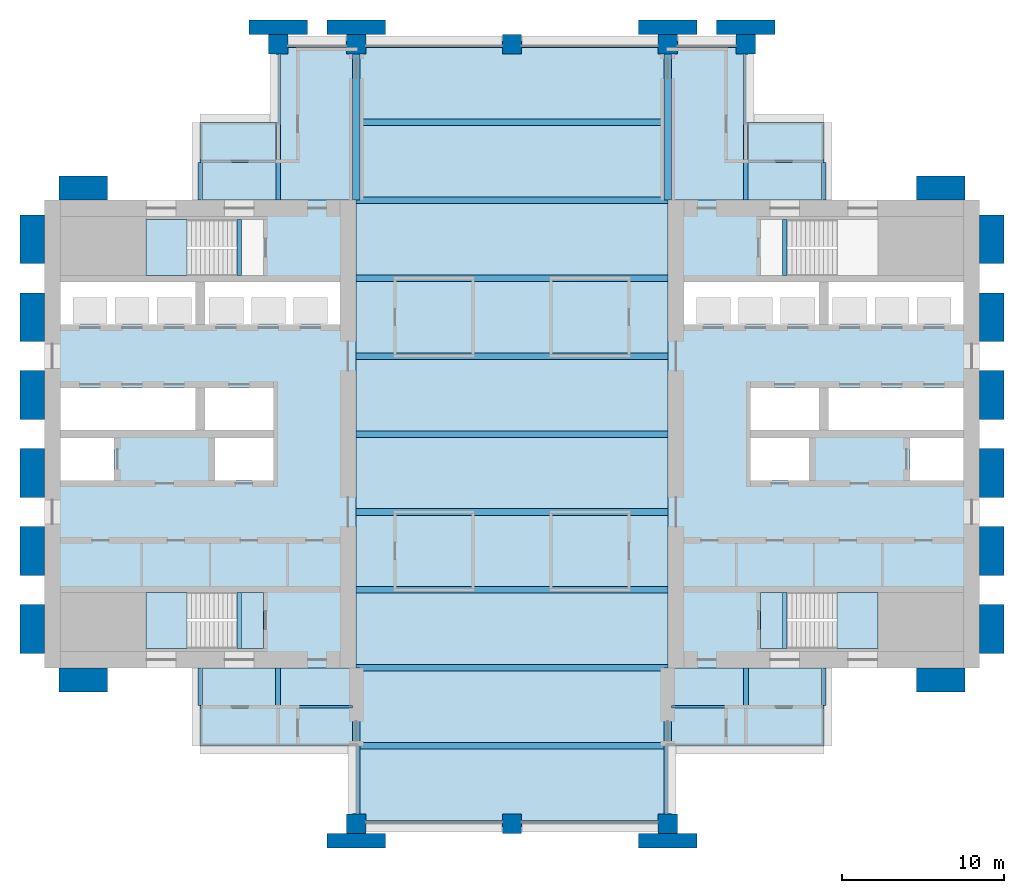
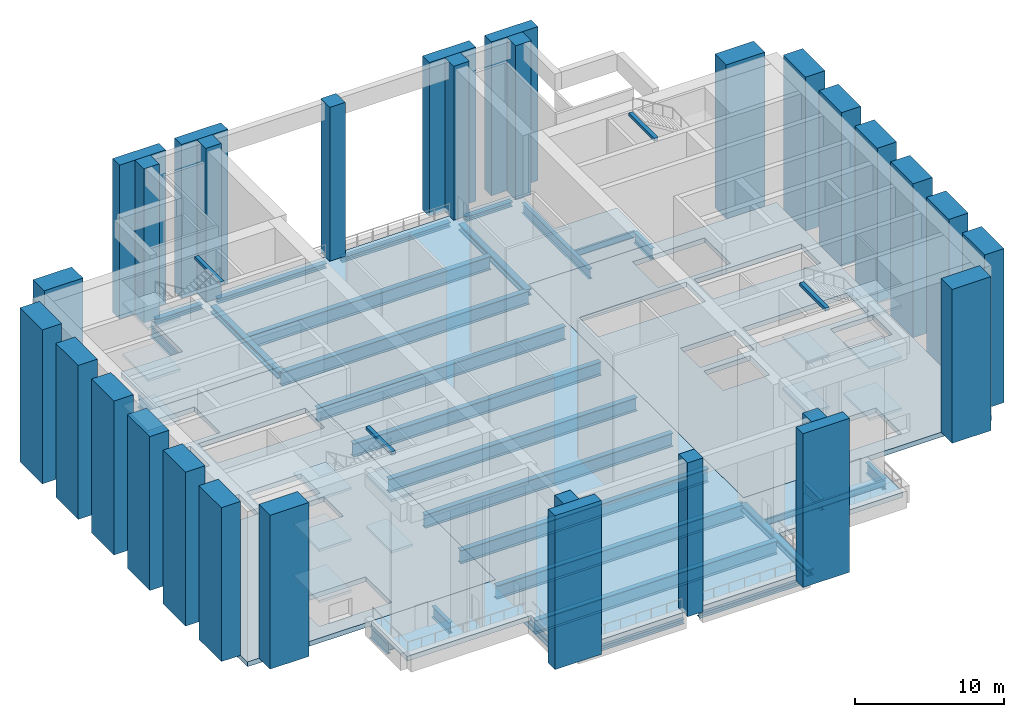
# One storey, part 1 of 9: 35 beams, 30 columns, 16 slabs, 3 elements without a shape of their own.
"""IFC4 building model written with IfcOpenShell, lengths in metres."""

from ifc_helpers import new_model, si_unit, direction, frame, origin, origin_2d, place, context, subcontext, project, spatial, polyline, rectangle, i_section, outline, extrude, material, layer, layer_set, material_profile, profile_set, type_object, element, aggregate, save


model = new_model("IFC4")

# Units and contexts
model_context = context("Model", 3, precision=1e-05, world=origin(), true_north=direction((0.0, 1.0)))
body_context = subcontext(model_context, "Body", "Model", "MODEL_VIEW")
ifc_project = project(units=[si_unit("LENGTHUNIT", "METRE"), si_unit("AREAUNIT", "SQUARE_METRE"), si_unit("VOLUMEUNIT", "CUBIC_METRE"), si_unit("PLANEANGLEUNIT", "RADIAN"), si_unit("MASSUNIT", "GRAM", prefix="KILO")], contexts=[model_context])

# Site, building, storey
site_placement = place(None, origin())
site = spatial("IfcSite", under=ifc_project, at=site_placement, CompositionType="ELEMENT")
building_placement = place(site_placement, origin())
building = spatial("IfcBuilding", under=site, at=building_placement, Name="Baori Bourse Tower", CompositionType="ELEMENT")
storey_placement = place(building_placement, frame((0.0, 0.0, 180.60009765625)))
storey = spatial("IfcBuildingStorey", under=building, at=storey_placement, Name="L40", CompositionType="ELEMENT", Elevation=180.60009765625)

# Columns
ifc_material_1 = material(Name="Concrete f'c 60 MPa", Category="concrete")
ifc_material_profile_1 = material_profile(ifc_material_1, rectangle(XDim=3.60009765625, YDim=0.89990234375, at=origin_2d()), Name="RC 3600x900")
ifc_profile_set_1 = profile_set([ifc_material_profile_1], Name="Concrete f'c 60 MPa")
column_type_1 = type_object("IfcColumnType", Name="FN3 Brick pilaster 3600x900", PredefinedType="PILASTER", material=ifc_profile_set_1)
for number, where, z_axis, x_axis, name in (
    (1, (19.199951171875, -1.050048828125, 0.0), (0.0, 0.0, 1.0), (1.0, 0.0, 0.0), "Brick pilaster L40 17"),
    (2, (38.39990234375, -1.050048828125, 0.0), (0.0, 0.0, 1.0), (1.0, 0.0, 0.0), "Brick pilaster L40 18"),
    (3, (14.39990234375, 49.050048828125, 0.0), (0.0, 0.0, 1.0), (1.0, 0.0, 0.0), "Brick pilaster L40 19"),
    (4, (19.199951171875, 49.050048828125, 0.0), (0.0, 0.0, 1.0), (1.0, 0.0, 0.0), "Brick pilaster L40 20"),
    (5, (38.39990234375, 49.050048828125, 0.0), (0.0, 0.0, 1.0), (1.0, 0.0, 0.0), "Brick pilaster L40 21"),
    (6, (43.199951171875, 49.050048828125, 0.0), (0.0, 0.0, 1.0), (1.0, 0.0, 0.0), "Brick pilaster L40 22"),
):
    element("IfcColumn", number, at=place(storey_placement, frame(where, z_axis=z_axis, x_axis=x_axis)), inside=storey, type_object=column_type_1, Name=name, PredefinedType="PILASTER", context=body_context, shape_type="SweptSolid", body=[
        extrude(rectangle(XDim=3.60009765625, YDim=0.89990234375, at=origin_2d()), origin(), (0.0, 0.0, 1.0), 12.599853515625),
    ])
ifc_material_2 = material(Name="Concrete f'c 60 MPa", Category="concrete")
ifc_material_profile_2 = material_profile(ifc_material_2, rectangle(XDim=3.0, YDim=1.5, at=origin_2d()), Name="RC 3000x1500")
ifc_profile_set_2 = profile_set([ifc_material_profile_2], Name="Concrete f'c 60 MPa")
column_type_2 = type_object("IfcColumnType", Name="FN4 Brick flank pilaster 3000x1500", PredefinedType="PILASTER", material=ifc_profile_set_2)
for number, where, z_axis, x_axis, name in (
    (7, (55.199951171875, 8.85009765625, 0.0), (0.0, 0.0, 1.0), (1.0, 0.0, 0.0), "Brick pilaster L40 1"),
    (8, (58.35009765625, 12.0, 0.0), (0.0, 0.0, 1.0), (0.0, 1.0, 0.0), "Brick pilaster L40 2"),
    (9, (58.35009765625, 16.800048828125, 0.0), (0.0, 0.0, 1.0), (0.0, 1.0, 0.0), "Brick pilaster L40 3"),
    (10, (58.35009765625, 21.60009765625, 0.0), (0.0, 0.0, 1.0), (0.0, 1.0, 0.0), "Brick pilaster L40 4"),
    (11, (58.35009765625, 26.39990234375, 0.0), (0.0, 0.0, 1.0), (0.0, 1.0, 0.0), "Brick pilaster L40 5"),
    (12, (58.35009765625, 31.199951171875, 0.0), (0.0, 0.0, 1.0), (0.0, 1.0, 0.0), "Brick pilaster L40 6"),
    (13, (58.35009765625, 36.0, 0.0), (0.0, 0.0, 1.0), (0.0, 1.0, 0.0), "Brick pilaster L40 7"),
    (14, (55.199951171875, 39.14990234375, 0.0), (0.0, 0.0, 1.0), (1.0, 0.0, 0.0), "Brick pilaster L40 8"),
    (15, (2.39990234375, 39.14990234375, 0.0), (0.0, 0.0, 1.0), (1.0, 0.0, 0.0), "Brick pilaster L40 9"),
    (16, (-0.75, 12.0, 0.0), (0.0, 0.0, 1.0), (0.0, 1.0, 0.0), "Brick pilaster L40 10"),
    (17, (-0.75, 16.800048828125, 0.0), (0.0, 0.0, 1.0), (0.0, 1.0, 0.0), "Brick pilaster L40 11"),
    (18, (-0.75, 21.60009765625, 0.0), (0.0, 0.0, 1.0), (0.0, 1.0, 0.0), "Brick pilaster L40 12"),
    (19, (-0.75, 26.39990234375, 0.0), (0.0, 0.0, 1.0), (0.0, 1.0, 0.0), "Brick pilaster L40 13"),
    (20, (-0.75, 31.199951171875, 0.0), (0.0, 0.0, 1.0), (0.0, 1.0, 0.0), "Brick pilaster L40 14"),
    (21, (-0.75, 36.0, 0.0), (0.0, 0.0, 1.0), (0.0, 1.0, 0.0), "Brick pilaster L40 15"),
    (22, (2.39990234375, 8.85009765625, 0.0), (0.0, 0.0, 1.0), (1.0, 0.0, 0.0), "Brick pilaster L40 16"),
):
    element("IfcColumn", number, at=place(storey_placement, frame(where, z_axis=z_axis, x_axis=x_axis)), inside=storey, type_object=column_type_2, Name=name, PredefinedType="PILASTER", context=body_context, shape_type="SweptSolid", body=[
        extrude(rectangle(XDim=3.0, YDim=1.5, at=origin_2d()), origin(), (0.0, 0.0, 1.0), 12.599853515625),
    ])
ifc_material_3 = material(Name="Concrete f'c 60 MPa", Category="concrete")
ifc_material_profile_3 = material_profile(ifc_material_3, rectangle(XDim=1.199951171875, YDim=1.199951171875, at=origin_2d()), Name="RC 1200x1200")
ifc_profile_set_3 = profile_set([ifc_material_profile_3], Name="Concrete f'c 60 MPa")
column_type_3 = type_object("IfcColumnType", Name="Perimeter column 60 RC 1200x1200", PredefinedType="COLUMN", material=ifc_profile_set_3)
for number, where, z_axis, x_axis, name in (
    (23, (19.199951171875, 0.0, 0.0), (0.0, 0.0, 1.0), (1.0, 0.0, 0.0), "Perimeter column L40"),
    (24, (28.800048828125, 0.0, 0.0), (0.0, 0.0, 1.0), (1.0, 0.0, 0.0), "Perimeter column L40"),
    (25, (38.39990234375, 0.0, 0.0), (0.0, 0.0, 1.0), (1.0, 0.0, 0.0), "Perimeter column L40"),
    (26, (14.39990234375, 48.0, 0.0), (0.0, 0.0, 1.0), (1.0, 0.0, 0.0), "Perimeter column L40"),
    (27, (19.199951171875, 48.0, 0.0), (0.0, 0.0, 1.0), (1.0, 0.0, 0.0), "Perimeter column L40"),
    (28, (28.800048828125, 48.0, 0.0), (0.0, 0.0, 1.0), (1.0, 0.0, 0.0), "Perimeter column L40"),
    (29, (38.39990234375, 48.0, 0.0), (0.0, 0.0, 1.0), (1.0, 0.0, 0.0), "Perimeter column L40"),
    (30, (43.199951171875, 48.0, 0.0), (0.0, 0.0, 1.0), (1.0, 0.0, 0.0), "Perimeter column L40"),
):
    element("IfcColumn", number, at=place(storey_placement, frame(where, z_axis=z_axis, x_axis=x_axis)), inside=storey, type_object=column_type_3, Name=name, PredefinedType="COLUMN", context=body_context, shape_type="SweptSolid", body=[
        extrude(rectangle(XDim=1.199951171875, YDim=1.199951171875, at=origin_2d()), origin(), (0.0, 0.0, 1.0), 12.599853515625),
    ])

# Beams
ifc_material_4 = material(Name="Steel A913 Gr 65", Category="steel")
ifc_material_profile_4 = material_profile(ifc_material_4, i_section(OverallWidth=0.4013671875, OverallDepth=0.398681640625, WebThickness=0.02490234375, FlangeThickness=0.03955078125, at=origin_2d()), Name="W14x211")
ifc_profile_set_4 = profile_set([ifc_material_profile_4], Name="Steel A913 Gr 65")
beam_type_1 = type_object("IfcBeamType", Name="Belt truss chord W14x211", PredefinedType="BEAM", material=ifc_profile_set_4)
beam_1_placement = place(storey_placement, frame((19.800048828125, 0.0, -0.599609375), z_axis=(1.0, 0.0, 0.0), x_axis=(0.0, 1.0, 0.0)))
element("IfcBeam", 31, at=beam_1_placement, inside=storey, type_object=beam_type_1, Name="Belt truss chord L40", PredefinedType="BEAM", context=body_context, shape_type="SweptSolid", body=[
    extrude(i_section(OverallWidth=0.4013671875, OverallDepth=0.398681640625, WebThickness=0.02490234375, FlangeThickness=0.03955078125, at=origin_2d()), origin(), (0.0, 0.0, 1.0), 8.39990234375),
])
beam_2_placement = place(storey_placement, frame((29.39990234375, 0.0, -0.599609375), z_axis=(1.0, 0.0, 0.0), x_axis=(0.0, 1.0, 0.0)))
element("IfcBeam", 32, at=beam_2_placement, inside=storey, type_object=beam_type_1, Name="Belt truss chord L40", PredefinedType="BEAM", context=body_context, shape_type="SweptSolid", body=[
    extrude(i_section(OverallWidth=0.4013671875, OverallDepth=0.398681640625, WebThickness=0.02490234375, FlangeThickness=0.03955078125, at=origin_2d()), origin(), (0.0, 0.0, 1.0), 8.400146484375),
])
beam_3_placement = place(storey_placement, frame((15.0, 48.0, -0.599609375), z_axis=(1.0, 0.0, 0.0), x_axis=(0.0, 1.0, 0.0)))
element("IfcBeam", 33, at=beam_3_placement, inside=storey, type_object=beam_type_1, Name="Belt truss chord L40", PredefinedType="BEAM", context=body_context, shape_type="SweptSolid", body=[
    extrude(i_section(OverallWidth=0.4013671875, OverallDepth=0.398681640625, WebThickness=0.02490234375, FlangeThickness=0.03955078125, at=origin_2d()), origin(), (0.0, 0.0, 1.0), 3.60009765625),
])
beam_4_placement = place(storey_placement, frame((19.800048828125, 48.0, -0.599609375), z_axis=(1.0, 0.0, 0.0), x_axis=(0.0, 1.0, 0.0)))
element("IfcBeam", 34, at=beam_4_placement, inside=storey, type_object=beam_type_1, Name="Belt truss chord L40", PredefinedType="BEAM", context=body_context, shape_type="SweptSolid", body=[
    extrude(i_section(OverallWidth=0.4013671875, OverallDepth=0.398681640625, WebThickness=0.02490234375, FlangeThickness=0.03955078125, at=origin_2d()), origin(), (0.0, 0.0, 1.0), 8.39990234375),
])
beam_5_placement = place(storey_placement, frame((29.39990234375, 48.0, -0.599609375), z_axis=(1.0, 0.0, 0.0), x_axis=(0.0, 1.0, 0.0)))
element("IfcBeam", 35, at=beam_5_placement, inside=storey, type_object=beam_type_1, Name="Belt truss chord L40", PredefinedType="BEAM", context=body_context, shape_type="SweptSolid", body=[
    extrude(i_section(OverallWidth=0.4013671875, OverallDepth=0.398681640625, WebThickness=0.02490234375, FlangeThickness=0.03955078125, at=origin_2d()), origin(), (0.0, 0.0, 1.0), 8.400146484375),
])
beam_6_placement = place(storey_placement, frame((39.0, 48.0, -0.599609375), z_axis=(1.0, 0.0, 0.0), x_axis=(0.0, 1.0, 0.0)))
element("IfcBeam", 36, at=beam_6_placement, inside=storey, type_object=beam_type_1, Name="Belt truss chord L40", PredefinedType="BEAM", context=body_context, shape_type="SweptSolid", body=[
    extrude(i_section(OverallWidth=0.4013671875, OverallDepth=0.398681640625, WebThickness=0.02490234375, FlangeThickness=0.03955078125, at=origin_2d()), origin(), (0.0, 0.0, 1.0), 3.60009765625),
])
ifc_material_5 = material(Name="Steel A992 Gr 50", Category="steel")
ifc_material_profile_5 = material_profile(ifc_material_5, i_section(OverallWidth=0.3046875, OverallDepth=0.904296875, WebThickness=0.01513671875, FlangeThickness=0.02001953125, at=origin_2d()), Name="W36x135")
ifc_profile_set_5 = profile_set([ifc_material_profile_5], Name="Steel A992 Gr 50")
beam_type_2 = type_object("IfcBeamType", Name="Core bracket W36x135", PredefinedType="BEAM", material=ifc_profile_set_5)
for number, where, z_axis, x_axis, name in (
    (37, (9.60009765625, 7.282470703125, -0.852294921875), (0.0, 1.0, 0.0), (-1.0, 0.0, 0.0), "Core bracket L40"),
    (38, (9.60009765625, 38.39990234375, -0.852294921875), (0.0, 1.0, 0.0), (-1.0, 0.0, 0.0), "Core bracket L40"),
    (39, (14.39990234375, 7.282470703125, -0.852294921875), (0.0, 1.0, 0.0), (-1.0, 0.0, 0.0), "Core bracket L40"),
    (40, (43.199951171875, 7.282470703125, -0.852294921875), (0.0, 1.0, 0.0), (-1.0, 0.0, 0.0), "Core bracket L40"),
    (41, (48.0, 7.282470703125, -0.852294921875), (0.0, 1.0, 0.0), (-1.0, 0.0, 0.0), "Core bracket L40"),
    (42, (48.0, 38.39990234375, -0.852294921875), (0.0, 1.0, 0.0), (-1.0, 0.0, 0.0), "Core bracket L40"),
):
    element("IfcBeam", number, at=place(storey_placement, frame(where, z_axis=z_axis, x_axis=x_axis)), inside=storey, type_object=beam_type_2, Name=name, PredefinedType="BEAM", context=body_context, shape_type="SweptSolid", body=[
        extrude(i_section(OverallWidth=0.3046875, OverallDepth=0.904296875, WebThickness=0.01513671875, FlangeThickness=0.02001953125, at=origin_2d()), origin(), (0.0, 0.0, 1.0), 2.317626953125),
    ])
ifc_material_6 = material(Name="Steel A992 Gr 50", Category="steel")
ifc_material_profile_6 = material_profile(ifc_material_6, i_section(OverallWidth=0.2919921875, OverallDepth=0.835693359375, WebThickness=0.013916015625, FlangeThickness=0.018798828125, at=origin_2d()), Name="W33x118")
ifc_profile_set_6 = profile_set([ifc_material_profile_6], Name="Steel A992 Gr 50")
beam_type_3 = type_object("IfcBeamType", Name="Floor beam W33x118", PredefinedType="BEAM", material=ifc_profile_set_6)
for number, where, z_axis, x_axis, name in (
    (43, (14.39990234375, 38.39990234375, -0.81787109375), (0.0, 1.0, 0.0), (-1.0, 0.0, 0.0), "Floor beam L40"),
    (44, (43.199951171875, 38.39990234375, -0.81787109375), (0.0, 1.0, 0.0), (-1.0, 0.0, 0.0), "Floor beam L40"),
):
    element("IfcBeam", number, at=place(storey_placement, frame(where, z_axis=z_axis, x_axis=x_axis)), inside=storey, type_object=beam_type_3, Name=name, PredefinedType="BEAM", context=body_context, shape_type="SweptSolid", body=[
        extrude(i_section(OverallWidth=0.2919921875, OverallDepth=0.835693359375, WebThickness=0.013916015625, FlangeThickness=0.018798828125, at=origin_2d()), origin(), (0.0, 0.0, 1.0), 9.0),
    ])
ifc_material_7 = material(Name="Steel A992 Gr 50", Category="steel")
ifc_material_profile_7 = material_profile(ifc_material_7, i_section(OverallWidth=0.4013671875, OverallDepth=1.107421875, WebThickness=0.02197265625, FlangeThickness=0.0400390625, at=origin_2d()), Name="W44x290")
ifc_profile_set_7 = profile_set([ifc_material_profile_7], Name="Steel A992 Gr 50")
beam_type_4 = type_object("IfcBeamType", Name="Floor beam W44x290", PredefinedType="BEAM", material=ifc_profile_set_7)
beam_7_placement = place(storey_placement, frame((19.42724609375, 4.800048828125, -0.953857421875), z_axis=(1.0, 0.0, 0.0), x_axis=(0.0, 1.0, 0.0)))
element("IfcBeam", 45, at=beam_7_placement, inside=storey, type_object=beam_type_4, Name="Floor beam L40", PredefinedType="BEAM", context=body_context, shape_type="SweptSolid", body=[
    extrude(i_section(OverallWidth=0.4013671875, OverallDepth=1.107421875, WebThickness=0.02197265625, FlangeThickness=0.0400390625, at=origin_2d()), origin(), (0.0, 0.0, 1.0), 18.745361328125),
])
for number, where, z_axis, x_axis, name in (
    (46, (19.199951171875, 9.60009765625, -0.953857421875), (1.0, 0.0, 0.0), (0.0, 1.0, 0.0), "Floor beam L40"),
    (47, (19.199951171875, 14.39990234375, -0.953857421875), (1.0, 0.0, 0.0), (0.0, 1.0, 0.0), "Floor beam L40"),
    (48, (19.199951171875, 19.199951171875, -0.953857421875), (1.0, 0.0, 0.0), (0.0, 1.0, 0.0), "Floor beam L40"),
    (49, (19.199951171875, 24.0, -0.953857421875), (1.0, 0.0, 0.0), (0.0, 1.0, 0.0), "Floor beam L40"),
    (50, (19.199951171875, 28.800048828125, -0.953857421875), (1.0, 0.0, 0.0), (0.0, 1.0, 0.0), "Floor beam L40"),
    (51, (19.199951171875, 33.60009765625, -0.953857421875), (1.0, 0.0, 0.0), (0.0, 1.0, 0.0), "Floor beam L40"),
    (52, (19.199951171875, 38.39990234375, -0.953857421875), (1.0, 0.0, 0.0), (0.0, 1.0, 0.0), "Floor beam L40"),
):
    element("IfcBeam", number, at=place(storey_placement, frame(where, z_axis=z_axis, x_axis=x_axis)), inside=storey, type_object=beam_type_4, Name=name, PredefinedType="BEAM", context=body_context, shape_type="SweptSolid", body=[
        extrude(i_section(OverallWidth=0.4013671875, OverallDepth=1.107421875, WebThickness=0.02197265625, FlangeThickness=0.0400390625, at=origin_2d()), origin(), (0.0, 0.0, 1.0), 19.199951171875),
    ])
beam_8_placement = place(storey_placement, frame((19.42724609375, 43.199951171875, -0.953857421875), z_axis=(1.0, 0.0, 0.0), x_axis=(0.0, 1.0, 0.0)))
element("IfcBeam", 53, at=beam_8_placement, inside=storey, type_object=beam_type_4, Name="Floor beam L40", PredefinedType="BEAM", context=body_context, shape_type="SweptSolid", body=[
    extrude(i_section(OverallWidth=0.4013671875, OverallDepth=1.107421875, WebThickness=0.02197265625, FlangeThickness=0.0400390625, at=origin_2d()), origin(), (0.0, 0.0, 1.0), 18.745361328125),
])
ifc_material_8 = material(Name="Steel A913 Gr 65", Category="steel")
ifc_material_profile_8 = material_profile(ifc_material_8, i_section(OverallWidth=0.45458984375, OverallDepth=0.56884765625, WebThickness=0.077880859375, FlangeThickness=0.124755859375, at=origin_2d()), Name="W14x730")
ifc_profile_set_8 = profile_set([ifc_material_profile_8], Name="Steel A913 Gr 65")
beam_type_5 = type_object("IfcBeamType", Name="Outrigger truss chord W14x730", PredefinedType="BEAM", material=ifc_profile_set_8)
for number, where, z_axis, x_axis, name in (
    (54, (19.199951171875, 0.60009765625, -0.6845703125), (0.0, 1.0, 0.0), (-1.0, 0.0, 0.0), "Outrigger truss chord L40"),
    (55, (19.199951171875, 38.39990234375, -0.6845703125), (0.0, 1.0, 0.0), (-1.0, 0.0, 0.0), "Outrigger truss chord L40"),
    (56, (38.39990234375, 0.60009765625, -0.6845703125), (0.0, 1.0, 0.0), (-1.0, 0.0, 0.0), "Outrigger truss chord L40"),
    (57, (38.39990234375, 38.39990234375, -0.6845703125), (0.0, 1.0, 0.0), (-1.0, 0.0, 0.0), "Outrigger truss chord L40"),
):
    element("IfcBeam", number, at=place(storey_placement, frame(where, z_axis=z_axis, x_axis=x_axis)), inside=storey, type_object=beam_type_5, Name=name, PredefinedType="BEAM", context=body_context, shape_type="SweptSolid", body=[
        extrude(i_section(OverallWidth=0.45458984375, OverallDepth=0.56884765625, WebThickness=0.077880859375, FlangeThickness=0.124755859375, at=origin_2d()), origin(), (0.0, 0.0, 1.0), 9.0),
    ])
ifc_material_9 = material(Name="Concrete f'c 50 MPa", Category="concrete")
ifc_material_profile_9 = material_profile(ifc_material_9, rectangle(XDim=0.300048828125, YDim=0.25, at=origin_2d()), Name="RC 300x250")
ifc_profile_set_9 = profile_set([ifc_material_profile_9], Name="Concrete f'c 50 MPa")
beam_type_6 = type_object("IfcBeamType", Name="Stair nib beam RC 300x250", PredefinedType="BEAM", material=ifc_profile_set_9)
for number, where, z_axis, x_axis, name in (
    (58, (12.0, 10.800048828125, 12.1748046875), (0.0, 1.0, 0.0), (-1.0, 0.0, 0.0), "Stair WA nib beam L41"),
    (59, (12.0, 33.75, 12.1748046875), (0.0, 1.0, 0.0), (-1.0, 0.0, 0.0), "Stair WB nib beam L41"),
    (60, (45.60009765625, 10.800048828125, 12.1748046875), (0.0, 1.0, 0.0), (-1.0, 0.0, 0.0), "Stair EA nib beam L41"),
    (61, (45.60009765625, 33.75, 12.1748046875), (0.0, 1.0, 0.0), (-1.0, 0.0, 0.0), "Stair EB nib beam L41"),
):
    element("IfcBeam", number, at=place(storey_placement, frame(where, z_axis=z_axis, x_axis=x_axis)), inside=storey, type_object=beam_type_6, Name=name, PredefinedType="BEAM", context=body_context, shape_type="SweptSolid", body=[
        extrude(rectangle(XDim=0.300048828125, YDim=0.25, at=origin_2d()), origin(), (0.0, 0.0, 1.0), 3.449951171875),
    ])
ifc_material_10 = material(Name="Steel A992 Gr 50", Category="steel")
ifc_material_profile_10 = material_profile(ifc_material_10, i_section(OverallWidth=0.1650390625, OverallDepth=0.52587890625, WebThickness=0.0087890625, FlangeThickness=0.011474609375, at=origin_2d()), Name="W21x44")
ifc_profile_set_10 = profile_set([ifc_material_profile_10], Name="Steel A992 Gr 50")
beam_type_7 = type_object("IfcBeamType", Name="Trimmer beam W21x44", PredefinedType="BEAM", material=ifc_profile_set_10)
for number, where, z_axis, x_axis, name in (
    (62, (9.60009765625, 7.199951171875, -0.6630859375), (1.0, 0.0, 0.0), (0.0, 1.0, 0.0), "Trimmer beam L40"),
    (63, (38.62744140625, 7.199951171875, -0.6630859375), (1.0, 0.0, 0.0), (0.0, 1.0, 0.0), "Trimmer beam L40"),
):
    element("IfcBeam", number, at=place(storey_placement, frame(where, z_axis=z_axis, x_axis=x_axis)), inside=storey, type_object=beam_type_7, Name=name, PredefinedType="BEAM", context=body_context, shape_type="SweptSolid", body=[
        extrude(i_section(OverallWidth=0.1650390625, OverallDepth=0.52587890625, WebThickness=0.0087890625, FlangeThickness=0.011474609375, at=origin_2d()), origin(), (0.0, 0.0, 1.0), 9.37255859375),
    ])
beam_9_placement = place(storey_placement, frame((9.60009765625, 40.800048828125, -0.6630859375), z_axis=(1.0, 0.0, 0.0), x_axis=(0.0, 1.0, 0.0)))
element("IfcBeam", 64, at=beam_9_placement, inside=storey, type_object=beam_type_7, Name="Trimmer beam L40", PredefinedType="BEAM", context=body_context, shape_type="SweptSolid", body=[
    extrude(i_section(OverallWidth=0.1650390625, OverallDepth=0.52587890625, WebThickness=0.0087890625, FlangeThickness=0.011474609375, at=origin_2d()), origin(), (0.0, 0.0, 1.0), 4.65380859375),
])
beam_10_placement = place(storey_placement, frame((43.345947265625, 40.800048828125, -0.6630859375), z_axis=(1.0, 0.0, 0.0), x_axis=(0.0, 1.0, 0.0)))
element("IfcBeam", 65, at=beam_10_placement, inside=storey, type_object=beam_type_7, Name="Trimmer beam L40", PredefinedType="BEAM", context=body_context, shape_type="SweptSolid", body=[
    extrude(i_section(OverallWidth=0.1650390625, OverallDepth=0.52587890625, WebThickness=0.0087890625, FlangeThickness=0.011474609375, at=origin_2d()), origin(), (0.0, 0.0, 1.0), 4.654052734375),
])

# Slabs
ifc_material_11 = material(Name="Concrete f'c 50 MPa", Category="concrete")
ifc_layer_1 = layer(ifc_material_11, 0.39990234375)
ifc_layer_set_1 = layer_set([ifc_layer_1], Name="Core slab 400")
slab_type_1 = type_object("IfcSlabType", Name="Core slab 400", PredefinedType="FLOOR", material=ifc_layer_set_1)
slab_1_placement = place(storey_placement, frame((0.0, 0.0, -0.400146484375)))
element("IfcSlab", 66, at=slab_1_placement, inside=storey, type_object=slab_type_1, Name="Core floor slab W01", PredefinedType="FLOOR", context=body_context, shape_type="SweptSolid", body=[
    extrude(outline(polyline([(19.199951171875, 9.60009765625), (19.199951171875, 38.39990234375), (0.0, 38.39990234375), (0.0, 9.60009765625), (19.199951171875, 9.60009765625)]), holes=[polyline([(9.89990234375, 30.75), (9.89990234375, 33.35009765625), (18.199951171875, 33.35009765625), (18.199951171875, 30.75), (9.89990234375, 30.75)]), polyline([(10.5, 21.14990234375), (10.5, 23.75), (14.10009765625, 23.75), (14.10009765625, 21.14990234375), (10.5, 21.14990234375)]), polyline([(14.10009765625, 24.25), (9.89990234375, 24.25), (9.89990234375, 26.85009765625), (14.10009765625, 26.85009765625), (14.10009765625, 24.25)]), polyline([(6.25, 14.25), (11.84912109375, 14.25), (11.84912109375, 10.800048828125), (6.25, 10.800048828125), (6.25, 14.25)]), polyline([(11.84912109375, 37.199951171875), (11.84912109375, 33.75), (6.25, 33.75), (6.25, 37.199951171875), (11.84912109375, 37.199951171875)]), polyline([(1.0, 26.85009765625), (9.300048828125, 26.85009765625), (9.300048828125, 24.25), (1.0, 24.25), (1.0, 26.85009765625)]), polyline([(9.300048828125, 30.75), (1.0, 30.75), (1.0, 33.35009765625), (9.300048828125, 33.35009765625), (9.300048828125, 30.75)]), polyline([(4.300048828125, 23.75), (4.300048828125, 21.14990234375), (1.0, 21.14990234375), (1.0, 23.75), (4.300048828125, 23.75)])]), origin(), (0.0, 0.0, 1.0), 0.400146484375),
])
slab_2_placement = place(storey_placement, frame((0.0, 0.0, -0.400146484375)))
element("IfcSlab", 67, at=slab_2_placement, inside=storey, type_object=slab_type_1, Name="Core floor slab E01", PredefinedType="FLOOR", context=body_context, shape_type="SweptSolid", body=[
    extrude(outline(polyline([(38.39990234375, 9.60009765625), (57.60009765625, 9.60009765625), (57.60009765625, 38.39990234375), (38.39990234375, 38.39990234375), (38.39990234375, 9.60009765625)]), holes=[polyline([(48.300048828125, 30.75), (48.300048828125, 33.35009765625), (56.60009765625, 33.35009765625), (56.60009765625, 30.75), (48.300048828125, 30.75)]), polyline([(56.60009765625, 21.14990234375), (53.300048828125, 21.14990234375), (53.300048828125, 23.75), (56.60009765625, 23.75), (56.60009765625, 21.14990234375)]), polyline([(56.60009765625, 26.85009765625), (56.60009765625, 24.25), (48.300048828125, 24.25), (48.300048828125, 26.85009765625), (56.60009765625, 26.85009765625)]), polyline([(45.750732421875, 14.25), (51.35009765625, 14.25), (51.35009765625, 10.800048828125), (45.750732421875, 10.800048828125), (45.750732421875, 14.25)]), polyline([(51.35009765625, 37.199951171875), (51.35009765625, 33.75), (45.750732421875, 33.75), (45.750732421875, 37.199951171875), (51.35009765625, 37.199951171875)]), polyline([(39.39990234375, 33.35009765625), (47.699951171875, 33.35009765625), (47.699951171875, 30.75), (39.39990234375, 30.75), (39.39990234375, 33.35009765625)]), polyline([(43.5, 24.25), (43.5, 26.85009765625), (47.699951171875, 26.85009765625), (47.699951171875, 24.25), (43.5, 24.25)]), polyline([(43.5, 23.75), (47.10009765625, 23.75), (47.10009765625, 21.14990234375), (43.5, 21.14990234375), (43.5, 23.75)])]), origin(), (0.0, 0.0, 1.0), 0.400146484375),
])

# Stair, slabs
ifc_material_12 = material(Name="Concrete f'c 50 MPa", Category="concrete")
stair_type = type_object("IfcStairType", Name="Core stair", PredefinedType="HALF_TURN_STAIR", material=ifc_material_12)
stair_1_placement = place(storey_placement, origin())
stair_1 = element("IfcStair", 68, at=stair_1_placement, inside=storey, type_object=stair_type, Name="L40 Stair WA", PredefinedType="HALF_TURN_STAIR")
ifc_material_13 = material(Name="Concrete f'c 50 MPa", Category="concrete")
slab_type_2 = type_object("IfcSlabType", Name="Core stair landing", PredefinedType="LANDING", material=ifc_material_13)
slab_3_placement = place(storey_placement, frame((0.0, 0.0, 1.89990234375)))
slab_3 = element("IfcSlab", 69, at=slab_3_placement, type_object=slab_type_2, Name="ST1 landing 1", PredefinedType="LANDING", context=body_context, shape_type="SweptSolid", body=[
    extrude(outline(polyline([(8.77001953125, 14.25), (6.25, 14.25), (6.25, 10.800048828125), (8.77001953125, 10.800048828125), (8.77001953125, 14.25)])), origin(), (0.0, 0.0, 1.0), 0.199951171875),
])
slab_4_placement = place(storey_placement, frame((0.0, 0.0, 4.0)))
slab_4 = element("IfcSlab", 70, at=slab_4_placement, type_object=slab_type_2, Name="ST1 landing 2", PredefinedType="LANDING", context=body_context, shape_type="SweptSolid", body=[
    extrude(outline(polyline([(13.5, 14.25), (11.85009765625, 14.25), (11.85009765625, 10.800048828125), (13.5, 10.800048828125), (13.5, 14.25)])), origin(), (0.0, 0.0, 1.0), 0.199951171875),
])
slab_5_placement = place(storey_placement, frame((0.0, 0.0, 6.099853515625)))
slab_5 = element("IfcSlab", 71, at=slab_5_placement, type_object=slab_type_2, Name="ST1 landing 3", PredefinedType="LANDING", context=body_context, shape_type="SweptSolid", body=[
    extrude(outline(polyline([(8.77001953125, 14.25), (6.25, 14.25), (6.25, 10.800048828125), (8.77001953125, 10.800048828125), (8.77001953125, 14.25)])), origin(), (0.0, 0.0, 1.0), 0.199951171875),
])
slab_6_placement = place(storey_placement, frame((0.0, 0.0, 8.199951171875)))
slab_6 = element("IfcSlab", 72, at=slab_6_placement, type_object=slab_type_2, Name="ST1 landing 4", PredefinedType="LANDING", context=body_context, shape_type="SweptSolid", body=[
    extrude(outline(polyline([(13.5, 14.25), (11.85009765625, 14.25), (11.85009765625, 10.800048828125), (13.5, 10.800048828125), (13.5, 14.25)])), origin(), (0.0, 0.0, 1.0), 0.199951171875),
])
slab_7_placement = place(storey_placement, frame((0.0, 0.0, 10.2998046875)))
slab_7 = element("IfcSlab", 73, at=slab_7_placement, type_object=slab_type_2, Name="ST1 landing 5", PredefinedType="LANDING", context=body_context, shape_type="SweptSolid", body=[
    extrude(outline(polyline([(8.77001953125, 14.25), (6.25, 14.25), (6.25, 10.800048828125), (8.77001953125, 10.800048828125), (8.77001953125, 14.25)])), origin(), (0.0, 0.0, 1.0), 0.2001953125),
])
aggregate(stair_1, [slab_3, slab_4, slab_5, slab_6, slab_7])

stair_2_placement = place(storey_placement, origin())
stair_2 = element("IfcStair", 74, at=stair_2_placement, inside=storey, type_object=stair_type, Name="L40 Stair WB", PredefinedType="HALF_TURN_STAIR")
slab_8_placement = place(storey_placement, frame((0.0, 0.0, 1.89990234375)))
slab_8 = element("IfcSlab", 75, at=slab_8_placement, type_object=slab_type_2, Name="ST2 landing 1", PredefinedType="LANDING", context=body_context, shape_type="SweptSolid", body=[
    extrude(outline(polyline([(8.77001953125, 37.199951171875), (6.25, 37.199951171875), (6.25, 33.75), (8.77001953125, 33.75), (8.77001953125, 37.199951171875)])), origin(), (0.0, 0.0, 1.0), 0.199951171875),
])
slab_9_placement = place(storey_placement, frame((0.0, 0.0, 6.099853515625)))
slab_9 = element("IfcSlab", 76, at=slab_9_placement, type_object=slab_type_2, Name="ST2 landing 3", PredefinedType="LANDING", context=body_context, shape_type="SweptSolid", body=[
    extrude(outline(polyline([(8.77001953125, 37.199951171875), (6.25, 37.199951171875), (6.25, 33.75), (8.77001953125, 33.75), (8.77001953125, 37.199951171875)])), origin(), (0.0, 0.0, 1.0), 0.199951171875),
])
slab_10_placement = place(storey_placement, frame((0.0, 0.0, 10.2998046875)))
slab_10 = element("IfcSlab", 77, at=slab_10_placement, type_object=slab_type_2, Name="ST2 landing 5", PredefinedType="LANDING", context=body_context, shape_type="SweptSolid", body=[
    extrude(outline(polyline([(8.77001953125, 37.199951171875), (6.25, 37.199951171875), (6.25, 33.75), (8.77001953125, 33.75), (8.77001953125, 37.199951171875)])), origin(), (0.0, 0.0, 1.0), 0.2001953125),
])
aggregate(stair_2, [slab_8, slab_9, slab_10])

stair_3_placement = place(storey_placement, origin())
stair_3 = element("IfcStair", 78, at=stair_3_placement, inside=storey, type_object=stair_type, Name="L40 Stair EA", PredefinedType="HALF_TURN_STAIR")
slab_11_placement = place(storey_placement, frame((0.0, 0.0, 1.89990234375)))
slab_11 = element("IfcSlab", 79, at=slab_11_placement, type_object=slab_type_2, Name="ST3 landing 1", PredefinedType="LANDING", context=body_context, shape_type="SweptSolid", body=[
    extrude(outline(polyline([(48.830078125, 10.800048828125), (51.35009765625, 10.800048828125), (51.35009765625, 14.25), (48.830078125, 14.25), (48.830078125, 10.800048828125)])), origin(), (0.0, 0.0, 1.0), 0.199951171875),
])
slab_12_placement = place(storey_placement, frame((0.0, 0.0, 4.0)))
slab_12 = element("IfcSlab", 80, at=slab_12_placement, type_object=slab_type_2, Name="ST3 landing 2", PredefinedType="LANDING", context=body_context, shape_type="SweptSolid", body=[
    extrude(outline(polyline([(44.10009765625, 10.800048828125), (45.75, 10.800048828125), (45.75, 14.25), (44.10009765625, 14.25), (44.10009765625, 10.800048828125)])), origin(), (0.0, 0.0, 1.0), 0.199951171875),
])
slab_13_placement = place(storey_placement, frame((0.0, 0.0, 6.099853515625)))
slab_13 = element("IfcSlab", 81, at=slab_13_placement, type_object=slab_type_2, Name="ST3 landing 3", PredefinedType="LANDING", context=body_context, shape_type="SweptSolid", body=[
    extrude(outline(polyline([(48.830078125, 10.800048828125), (51.35009765625, 10.800048828125), (51.35009765625, 14.25), (48.830078125, 14.25), (48.830078125, 10.800048828125)])), origin(), (0.0, 0.0, 1.0), 0.199951171875),
])
slab_14_placement = place(storey_placement, frame((0.0, 0.0, 8.199951171875)))
slab_14 = element("IfcSlab", 82, at=slab_14_placement, type_object=slab_type_2, Name="ST3 landing 4", PredefinedType="LANDING", context=body_context, shape_type="SweptSolid", body=[
    extrude(outline(polyline([(44.10009765625, 10.800048828125), (45.75, 10.800048828125), (45.75, 14.25), (44.10009765625, 14.25), (44.10009765625, 10.800048828125)])), origin(), (0.0, 0.0, 1.0), 0.199951171875),
])
slab_15_placement = place(storey_placement, frame((0.0, 0.0, 10.2998046875)))
slab_15 = element("IfcSlab", 83, at=slab_15_placement, type_object=slab_type_2, Name="ST3 landing 5", PredefinedType="LANDING", context=body_context, shape_type="SweptSolid", body=[
    extrude(outline(polyline([(48.830078125, 10.800048828125), (51.35009765625, 10.800048828125), (51.35009765625, 14.25), (48.830078125, 14.25), (48.830078125, 10.800048828125)])), origin(), (0.0, 0.0, 1.0), 0.2001953125),
])
aggregate(stair_3, [slab_11, slab_12, slab_13, slab_14, slab_15])

# Slab
ifc_material_14 = material(Name="Concrete f'c 40 MPa", Category="concrete")
ifc_layer_2 = layer(ifc_material_14, 0.39990234375)
ifc_layer_set_2 = layer_set([ifc_layer_2], Name="Portal deck slab 400")
slab_type_3 = type_object("IfcSlabType", Name="Portal deck slab 400", PredefinedType="FLOOR", material=ifc_layer_set_2)
slab_16_placement = place(storey_placement, frame((0.0, 0.0, -0.400146484375)))
element("IfcSlab", 84, at=slab_16_placement, inside=storey, type_object=slab_type_3, Name="Portal deck slab L40", PredefinedType="FLOOR", context=body_context, shape_type="SweptSolid", body=[
    extrude(outline(polyline([(19.199951171875, 4.800048828125), (9.60009765625, 4.800048828125), (9.60009765625, 9.60009765625), (19.199951171875, 9.60009765625), (19.199951171875, 38.39990234375), (9.60009765625, 38.39990234375), (9.60009765625, 43.199951171875), (14.39990234375, 43.199951171875), (14.39990234375, 47.39990234375), (15.0, 47.39990234375), (15.0, 48.0), (18.60009765625, 48.0), (18.60009765625, 47.39990234375), (19.800048828125, 47.39990234375), (19.800048828125, 48.0), (28.199951171875, 48.0), (28.199951171875, 47.39990234375), (29.39990234375, 47.39990234375), (29.39990234375, 48.0), (37.800048828125, 48.0), (37.800048828125, 47.39990234375), (39.0, 47.39990234375), (39.0, 48.0), (42.60009765625, 48.0), (42.60009765625, 47.39990234375), (43.199951171875, 47.39990234375), (43.199951171875, 43.199951171875), (48.0, 43.199951171875), (48.0, 38.39990234375), (38.39990234375, 38.39990234375), (38.39990234375, 9.60009765625), (48.0, 9.60009765625), (48.0, 4.800048828125), (38.39990234375, 4.800048828125), (38.39990234375, 0.60009765625), (37.800048828125, 0.60009765625), (37.800048828125, 0.0), (29.39990234375, 0.0), (29.39990234375, 0.60009765625), (28.199951171875, 0.60009765625), (28.199951171875, 0.0), (19.800048828125, 0.0), (19.800048828125, 0.60009765625), (19.199951171875, 0.60009765625), (19.199951171875, 4.800048828125)])), origin(), (0.0, 0.0, 1.0), 0.400146484375),
])

save(model, "model.ifc")
